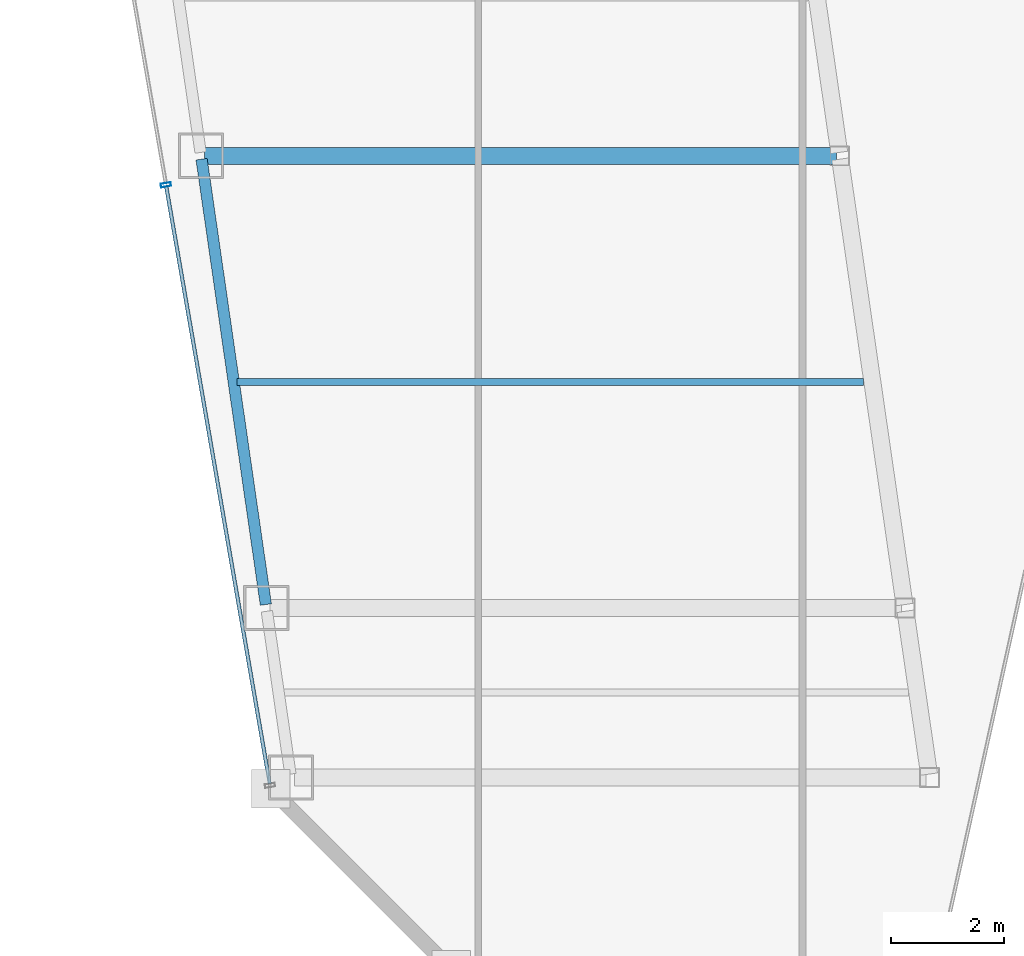
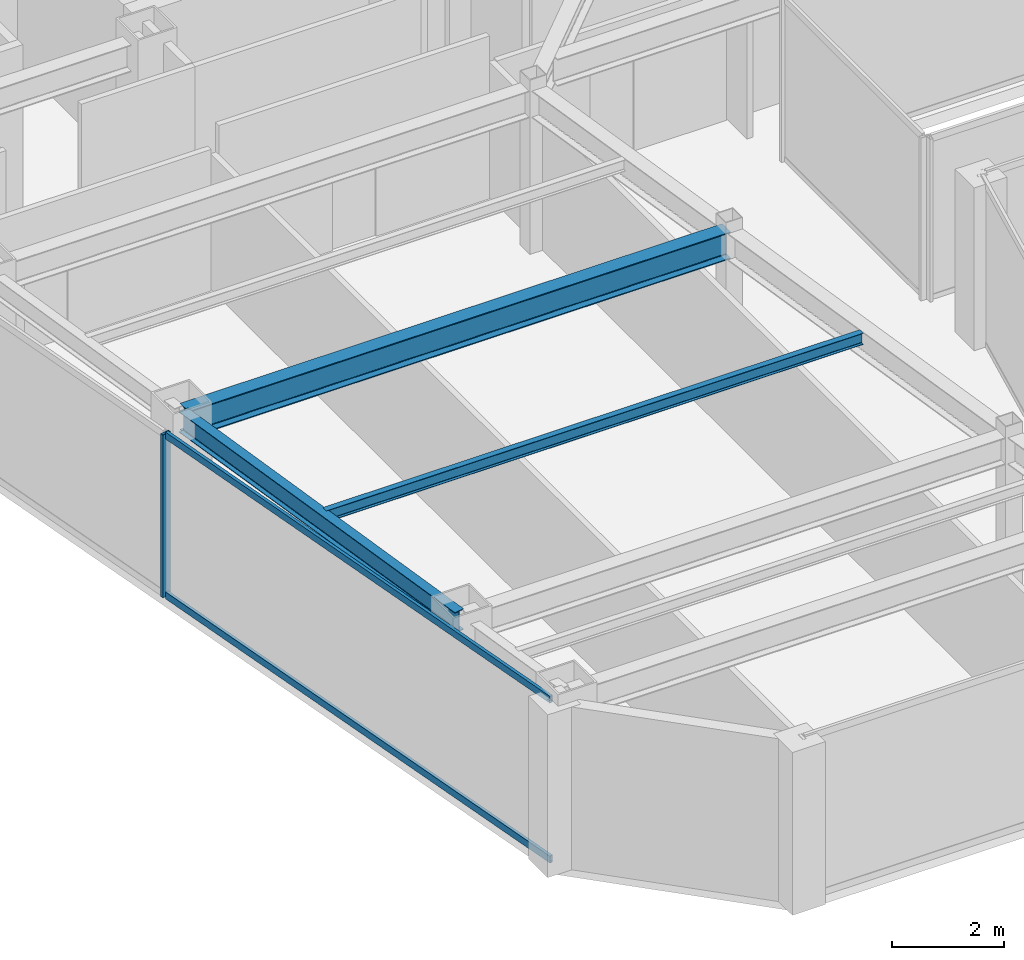
# One storey, part 4 of 32: 3 beams, 3 members, 1 element without a shape of its own.
"""IFC4 building model written with IfcOpenShell, lengths in metres."""

from ifc_helpers import new_model, si_unit, direction, frame, origin, origin_2d, place, context, subcontext, project, spatial, hollow_rectangle, i_section, extrude, material, material_profile, profile_set, type_object, element, aggregate, save


model = new_model("IFC4")

# Units and contexts
model_context = context("Model", 3, precision=1e-05, world=origin(), true_north=direction((0.0, 1.0)))
body_context = subcontext(model_context, "Body", "Model", "MODEL_VIEW")
ifc_project = project(units=[si_unit("LENGTHUNIT", "METRE"), si_unit("AREAUNIT", "SQUARE_METRE"), si_unit("VOLUMEUNIT", "CUBIC_METRE"), si_unit("PLANEANGLEUNIT", "RADIAN"), si_unit("MASSUNIT", "GRAM", prefix="KILO")], contexts=[model_context])

# Site, building, storey
site_placement = place(None, origin())
site = spatial("IfcSite", under=ifc_project, at=site_placement, CompositionType="ELEMENT")
building_placement = place(site_placement, origin())
building = spatial("IfcBuilding", under=site, at=building_placement, Name="Saevonmaru Cultural Tower", CompositionType="ELEMENT")
storey_placement = place(building_placement, frame((0.0, 0.0, 245.800048828125)))
storey = spatial("IfcBuildingStorey", under=building, at=storey_placement, Name="L57", CompositionType="ELEMENT", Elevation=245.800048828125)

# Beams
ifc_material_1 = material(Name="Steel SM355", Category="steel")
ifc_material_profile_1 = material_profile(ifc_material_1, i_section(OverallWidth=0.300048828125, OverallDepth=0.587890625, WebThickness=0.011962890625, FlangeThickness=0.02001953125, FilletRadius=0.02392578125, at=origin_2d()), Name="H-588x300x12x20")
ifc_profile_set_1 = profile_set([ifc_material_profile_1], Name="Steel SM355")
beam_type_1 = type_object("IfcBeamType", Name="BM-G-H588", PredefinedType="BEAM", material=ifc_profile_set_1)
beam_1_placement = place(storey_placement, frame((8.376953125, 32.0, 3.255859375), z_axis=(1.0, 0.0, 0.0), x_axis=(0.0, 1.0, 0.0)))
element("IfcBeam", 1, at=beam_1_placement, inside=storey, type_object=beam_type_1, Name="L57 West Wing Transverse Girder 3", PredefinedType="BEAM", context=body_context, shape_type="SweptSolid", body=[
    extrude(i_section(OverallWidth=0.300048828125, OverallDepth=0.587890625, WebThickness=0.011962890625, FlangeThickness=0.02001953125, FilletRadius=0.02392578125, at=origin_2d()), origin(), (0.0, 0.0, 1.0), 11.179931640625),
])
ifc_material_profile_2 = material_profile(ifc_material_1, i_section(OverallWidth=0.125, OverallDepth=0.25, WebThickness=0.006103515625, FlangeThickness=0.009033203125, FilletRadius=0.008056640625, at=origin_2d()), Name="H-250x125x6x9")
ifc_profile_set_2 = profile_set([ifc_material_profile_2], Name="Steel SM355")
beam_type_2 = type_object("IfcBeamType", Name="BM-J-H250", PredefinedType="JOIST", material=ifc_profile_set_2)
beam_2_placement = place(storey_placement, frame((8.95458984375, 28.0, 3.425048828125), z_axis=(1.0, 0.0, 0.0), x_axis=(0.0, 1.0, 0.0)))
element("IfcBeam", 2, at=beam_2_placement, inside=storey, type_object=beam_type_2, Name="L57 West Wing Floor Joist 2", PredefinedType="JOIST", context=body_context, shape_type="SweptSolid", body=[
    extrude(i_section(OverallWidth=0.125, OverallDepth=0.25, WebThickness=0.006103515625, FlangeThickness=0.009033203125, FilletRadius=0.008056640625, at=origin_2d()), origin(), (0.0, 0.0, 1.0), 11.08203125),
])
ifc_material_profile_3 = material_profile(ifc_material_1, i_section(OverallWidth=0.199951171875, OverallDepth=0.449951171875, WebThickness=0.009033203125, FlangeThickness=0.013916015625, FilletRadius=0.01806640625, at=origin_2d()), Name="H-450x200x9x14")
ifc_profile_set_3 = profile_set([ifc_material_profile_3], Name="Steel SM355")
beam_type_3 = type_object("IfcBeamType", Name="BM-SP-H450", PredefinedType="SPANDREL", material=ifc_profile_set_3)
beam_3_placement = place(storey_placement, frame((9.46337890625, 24.059326171875, 3.324951171875), z_axis=(-0.142871999001, 0.989741174197, 0.0), x_axis=(-0.989741174197, -0.142871999001, 0.0)))
element("IfcBeam", 3, at=beam_3_placement, inside=storey, type_object=beam_type_3, Name="L57 West Splayed Spandrel 2", PredefinedType="SPANDREL", context=body_context, shape_type="SweptSolid", body=[
    extrude(i_section(OverallWidth=0.199951171875, OverallDepth=0.449951171875, WebThickness=0.009033203125, FlangeThickness=0.013916015625, FilletRadius=0.01806640625, at=origin_2d()), origin(), (0.0, 0.0, 1.0), 7.963134765625),
])

# Curtain wall, members
ifc_material_2 = material(Name="Satin Bronze Anodised Aluminium", Category="aluminium")
curtain_wall_type = type_object("IfcCurtainWallType", Name="CW-TYP-B", PredefinedType="NOTDEFINED", material=ifc_material_2)
curtain_wall_placement = place(storey_placement, origin())
curtain_wall = element("IfcCurtainWall", 4, at=curtain_wall_placement, inside=storey, type_object=curtain_wall_type, Name="L57 Unitised Curtain Wall E12", PredefinedType="NOTDEFINED")
ifc_material_profile_4 = material_profile(ifc_material_2, hollow_rectangle(XDim=0.06494140625, YDim=0.179931640625, WallThickness=0.00390625, at=origin_2d()), Name="ALU-MULL-180x65x4")
ifc_profile_set_4 = profile_set([ifc_material_profile_4], Name="Satin Bronze Anodised Aluminium")
member_type_1 = type_object("IfcMemberType", Name="ML-CW-180x65", PredefinedType="MULLION", material=ifc_profile_set_4)
member_1_placement = place(storey_placement, frame((7.6943359375, 31.486328125, 0.0), z_axis=(0.0, 0.0, 1.0), x_axis=(0.170790369887, -0.985307388359, 0.0)))
member_1 = element("IfcMember", 5, at=member_1_placement, type_object=member_type_1, Name="CW-TW-L57-E12 mullion 3", PredefinedType="MULLION", context=body_context, shape_type="SweptSolid", body=[
    extrude(hollow_rectangle(XDim=0.06494140625, YDim=0.179931640625, WallThickness=0.00390625, at=origin_2d()), origin(), (0.0, 0.0, 1.0), 3.550048828125),
])
ifc_material_profile_5 = material_profile(ifc_material_2, hollow_rectangle(XDim=0.06494140625, YDim=0.14990234375, WallThickness=0.00390625, at=origin_2d()), Name="ALU-TRAN-150x65x4")
ifc_profile_set_5 = profile_set([ifc_material_profile_5], Name="Satin Bronze Anodised Aluminium")
member_type_2 = type_object("IfcMemberType", Name="TR-CW-150x65", PredefinedType="USERDEFINED", material=ifc_profile_set_5)
member_2_placement = place(storey_placement, frame((7.699951171875, 31.454345703125, 0.032470703125), z_axis=(0.170795272137, -0.985306538604, 0.0), x_axis=(0.985306538604, 0.170795272137, 0.0)))
member_2 = element("IfcMember", 6, at=member_2_placement, type_object=member_type_2, Name="CW-TW-L57-E12 transom 3.1", ObjectType="TRANSOM", PredefinedType="USERDEFINED", context=body_context, shape_type="SweptSolid", body=[
    extrude(hollow_rectangle(XDim=0.06494140625, YDim=0.14990234375, WallThickness=0.00390625, at=origin_2d()), origin(), (0.0, 0.0, 1.0), 10.720703125),
])
member_3_placement = place(storey_placement, frame((7.699951171875, 31.454345703125, 3.517333984375), z_axis=(0.170795272137, -0.985306538604, 0.0), x_axis=(0.985306538604, 0.170795272137, 0.0)))
member_3 = element("IfcMember", 7, at=member_3_placement, type_object=member_type_2, Name="CW-TW-L57-E12 transom 3.2", ObjectType="TRANSOM", PredefinedType="USERDEFINED", context=body_context, shape_type="SweptSolid", body=[
    extrude(hollow_rectangle(XDim=0.06494140625, YDim=0.14990234375, WallThickness=0.00390625, at=origin_2d()), origin(), (0.0, 0.0, 1.0), 10.720703125),
])
aggregate(curtain_wall, [member_1, member_2, member_3])

save(model, "model.ifc")
